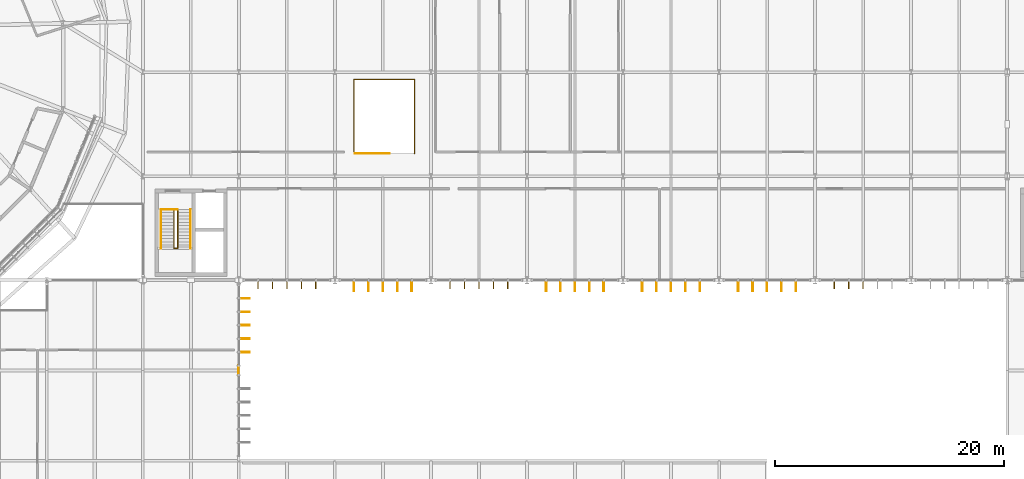
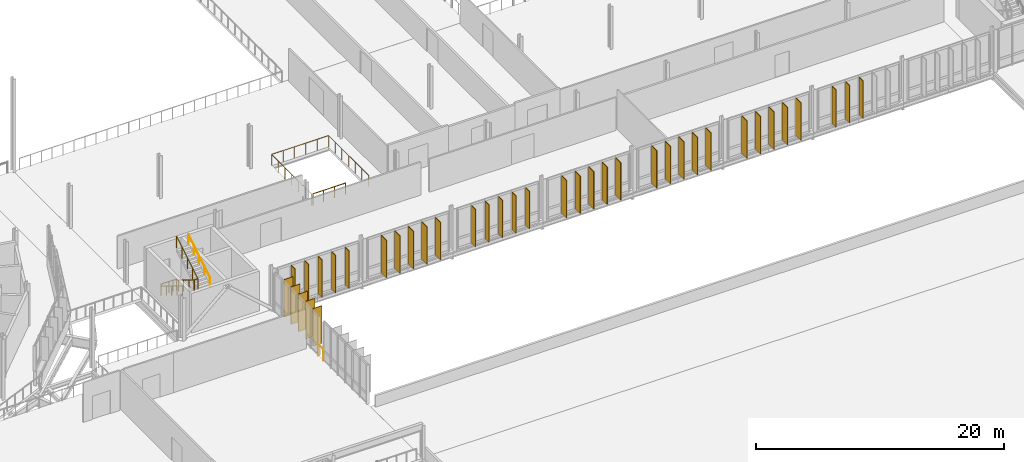
# One storey, part 100 of 107: 38 shading devices, 7 railings.
"""IFC4 building model written with IfcOpenShell, lengths in metres."""

from ifc_helpers import new_model, si_unit, derived_unit, direction, frame, origin, origin_2d, place, context, subcontext, project, spatial, rectangle, circle, extrude, material, layer, layer_set, type_object, element, save


model = new_model("IFC4")

# Units and contexts
model_context = context("Model", 3, precision=1e-05, world=origin(), true_north=direction((0.0, 1.0)))
body_context = subcontext(model_context, "Body", "Model", "MODEL_VIEW")
ifc_project = project(units=[si_unit("LENGTHUNIT", "METRE"), si_unit("AREAUNIT", "SQUARE_METRE"), si_unit("VOLUMEUNIT", "CUBIC_METRE"), si_unit("PLANEANGLEUNIT", "RADIAN"), si_unit("MASSUNIT", "GRAM", prefix="KILO"), derived_unit("THERMALTRANSMITTANCEUNIT", [(si_unit("MASSUNIT", "GRAM", prefix="KILO"), 1), (si_unit("TIMEUNIT", "SECOND"), -3), (si_unit("THERMODYNAMICTEMPERATUREUNIT", "KELVIN"), -1)])], contexts=[model_context])

# Site, building, storey
site_placement = place(None, origin())
site = spatial("IfcSite", under=ifc_project, at=site_placement, CompositionType="ELEMENT")
building_placement = place(site_placement, origin())
building = spatial("IfcBuilding", under=site, at=building_placement, Name="Makaiwela Harbour Ferry Terminal", CompositionType="ELEMENT")
storey_placement = place(building_placement, frame((0.0, 0.0, 9.60009765625)))
storey = spatial("IfcBuildingStorey", under=building, at=storey_placement, Name="L02", CompositionType="ELEMENT", Elevation=9.60009765625)

# Shading devices
ifc_material_1 = material(Name="Marine anodised aluminium 6063-T6", Category="aluminium")
ifc_layer_1 = layer(ifc_material_1, 0.054931640625)
ifc_layer_set_1 = layer_set([ifc_layer_1], Name="Marine anodised aluminium 6063-T6")
shading_device_type_1 = type_object("IfcShadingDeviceType", Name="ENV-FIN-650", PredefinedType="USERDEFINED", material=ifc_layer_set_1)
for number, where, z_axis, x_axis, name in (
    (1, (78.1201171875, 48.9619140625, 0.156982421875), (0.0, 0.0, 1.0), (0.0, -1.0, 0.0), "Vertical Solar Fin SFN-0213"),
    (2, (76.860107421875, 48.9619140625, 0.156982421875), (0.0, 0.0, 1.0), (0.0, -1.0, 0.0), "Vertical Solar Fin SFN-0214"),
    (3, (75.60009765625, 48.9619140625, 0.156982421875), (0.0, 0.0, 1.0), (0.0, -1.0, 0.0), "Vertical Solar Fin SFN-0215"),
    (4, (74.340087890625, 48.9619140625, 0.156982421875), (0.0, 0.0, 1.0), (0.0, -1.0, 0.0), "Vertical Solar Fin SFN-0216"),
    (5, (73.080078125, 48.9619140625, 0.156982421875), (0.0, 0.0, 1.0), (0.0, -1.0, 0.0), "Vertical Solar Fin SFN-0217"),
    (6, (94.919921875, 48.9619140625, 0.156982421875), (0.0, 0.0, 1.0), (0.0, -1.0, 0.0), "Vertical Solar Fin SFN-0243"),
    (7, (93.659912109375, 48.9619140625, 0.156982421875), (0.0, 0.0, 1.0), (0.0, -1.0, 0.0), "Vertical Solar Fin SFN-0244"),
    (8, (92.39990234375, 48.9619140625, 0.156982421875), (0.0, 0.0, 1.0), (0.0, -1.0, 0.0), "Vertical Solar Fin SFN-0245"),
    (9, (91.139892578125, 48.9619140625, 0.156982421875), (0.0, 0.0, 1.0), (0.0, -1.0, 0.0), "Vertical Solar Fin SFN-0246"),
    (10, (89.8798828125, 48.9619140625, 0.156982421875), (0.0, 0.0, 1.0), (0.0, -1.0, 0.0), "Vertical Solar Fin SFN-0247"),
    (11, (126.0, 48.9619140625, 0.156982421875), (0.0, 0.0, 1.0), (0.0, -1.0, 0.0), "Vertical Solar Fin SFN-0305"),
    (12, (124.739990234375, 48.9619140625, 0.156982421875), (0.0, 0.0, 1.0), (0.0, -1.0, 0.0), "Vertical Solar Fin SFN-0306"),
    (13, (123.47998046875, 48.9619140625, 0.156982421875), (0.0, 0.0, 1.0), (0.0, -1.0, 0.0), "Vertical Solar Fin SFN-0307"),
):
    element("IfcShadingDevice", number, at=place(storey_placement, frame(where, z_axis=z_axis, x_axis=x_axis)), inside=storey, type_object=shading_device_type_1, Name=name, ObjectType="SOLAR FIN", PredefinedType="USERDEFINED", context=body_context, shape_type="SweptSolid", body=[
        extrude(rectangle(XDim=0.64990234375, YDim=0.054931640625, at=origin_2d()), origin(), (0.0, 0.0, 1.0), 3.68994140625),
    ])
ifc_material_2 = material(Name="Thermally modified Accoya timber and anodised aluminium", Category="wood")
ifc_layer_2 = layer(ifc_material_2, 0.06005859375)
ifc_layer_set_2 = layer_set([ifc_layer_2], Name="Thermally modified Accoya timber and anodised aluminium")
shading_device_type_2 = type_object("IfcShadingDeviceType", Name="ENV-FIN-850", PredefinedType="USERDEFINED", material=ifc_layer_set_2)
for number, where, z_axis, x_axis, name in (
    (14, (86.52001953125, 48.862060546875, 0.156982421875), (0.0, 0.0, 1.0), (0.0, -1.0, 0.0), "Vertical Solar Fin SFN-0233"),
    (15, (85.260009765625, 48.862060546875, 0.156982421875), (0.0, 0.0, 1.0), (0.0, -1.0, 0.0), "Vertical Solar Fin SFN-0234"),
    (16, (84.0, 48.862060546875, 0.156982421875), (0.0, 0.0, 1.0), (0.0, -1.0, 0.0), "Vertical Solar Fin SFN-0235"),
    (17, (82.739990234375, 48.862060546875, 0.156982421875), (0.0, 0.0, 1.0), (0.0, -1.0, 0.0), "Vertical Solar Fin SFN-0236"),
    (18, (81.47998046875, 48.862060546875, 0.156982421875), (0.0, 0.0, 1.0), (0.0, -1.0, 0.0), "Vertical Solar Fin SFN-0237"),
    (19, (103.320068359375, 48.862060546875, 0.156982421875), (0.0, 0.0, 1.0), (0.0, -1.0, 0.0), "Vertical Solar Fin SFN-0253"),
    (20, (102.06005859375, 48.862060546875, 0.156982421875), (0.0, 0.0, 1.0), (0.0, -1.0, 0.0), "Vertical Solar Fin SFN-0254"),
    (21, (100.800048828125, 48.862060546875, 0.156982421875), (0.0, 0.0, 1.0), (0.0, -1.0, 0.0), "Vertical Solar Fin SFN-0255"),
    (22, (99.5400390625, 48.862060546875, 0.156982421875), (0.0, 0.0, 1.0), (0.0, -1.0, 0.0), "Vertical Solar Fin SFN-0256"),
    (23, (98.280029296875, 48.862060546875, 0.156982421875), (0.0, 0.0, 1.0), (0.0, -1.0, 0.0), "Vertical Solar Fin SFN-0257"),
    (24, (111.719970703125, 48.862060546875, 0.156982421875), (0.0, 0.0, 1.0), (0.0, -1.0, 0.0), "Vertical Solar Fin SFN-0268"),
    (25, (110.4599609375, 48.862060546875, 0.156982421875), (0.0, 0.0, 1.0), (0.0, -1.0, 0.0), "Vertical Solar Fin SFN-0269"),
    (26, (109.199951171875, 48.862060546875, 0.156982421875), (0.0, 0.0, 1.0), (0.0, -1.0, 0.0), "Vertical Solar Fin SFN-0270"),
    (27, (107.93994140625, 48.862060546875, 0.156982421875), (0.0, 0.0, 1.0), (0.0, -1.0, 0.0), "Vertical Solar Fin SFN-0271"),
    (28, (106.679931640625, 48.862060546875, 0.156982421875), (0.0, 0.0, 1.0), (0.0, -1.0, 0.0), "Vertical Solar Fin SFN-0272"),
    (29, (120.1201171875, 48.862060546875, 0.156982421875), (0.0, 0.0, 1.0), (0.0, -1.0, 0.0), "Vertical Solar Fin SFN-0283"),
    (30, (118.860107421875, 48.862060546875, 0.156982421875), (0.0, 0.0, 1.0), (0.0, -1.0, 0.0), "Vertical Solar Fin SFN-0284"),
    (31, (117.60009765625, 48.862060546875, 0.156982421875), (0.0, 0.0, 1.0), (0.0, -1.0, 0.0), "Vertical Solar Fin SFN-0285"),
    (32, (116.340087890625, 48.862060546875, 0.156982421875), (0.0, 0.0, 1.0), (0.0, -1.0, 0.0), "Vertical Solar Fin SFN-0286"),
    (33, (115.080078125, 48.862060546875, 0.156982421875), (0.0, 0.0, 1.0), (0.0, -1.0, 0.0), "Vertical Solar Fin SFN-0287"),
    (34, (71.93798828125, 47.80322265625, 0.156982421875), (0.0, 0.0, 1.0), (1.0, 0.0, 0.0), "Vertical Solar Fin SFN-0403"),
    (35, (71.93798828125, 46.626708984375, 0.156982421875), (0.0, 0.0, 1.0), (1.0, 0.0, 0.0), "Vertical Solar Fin SFN-0404"),
    (36, (71.93798828125, 45.449951171875, 0.156982421875), (0.0, 0.0, 1.0), (1.0, 0.0, 0.0), "Vertical Solar Fin SFN-0405"),
    (37, (71.93798828125, 44.273193359375, 0.156982421875), (0.0, 0.0, 1.0), (1.0, 0.0, 0.0), "Vertical Solar Fin SFN-0406"),
    (38, (71.93798828125, 43.0966796875, 0.156982421875), (0.0, 0.0, 1.0), (1.0, 0.0, 0.0), "Vertical Solar Fin SFN-0407"),
):
    element("IfcShadingDevice", number, at=place(storey_placement, frame(where, z_axis=z_axis, x_axis=x_axis)), inside=storey, type_object=shading_device_type_2, Name=name, ObjectType="SOLAR FIN", PredefinedType="USERDEFINED", context=body_context, shape_type="SweptSolid", body=[
        extrude(rectangle(XDim=0.85009765625, YDim=0.06005859375, at=origin_2d()), origin(), (0.0, 0.0, 1.0), 3.68994140625),
    ])

# Railings
ifc_material_3 = material(Name="Marine grade 316L brushed stainless steel", Category="steel")
railing_type_1 = type_object("IfcRailingType", Name="INT-RL-GRD110", PredefinedType="GUARDRAIL", material=ifc_material_3)
railing_1_placement = place(storey_placement, frame((64.570068359375, 55.60009765625, 0.0)))
element("IfcRailing", 39, at=railing_1_placement, inside=storey, type_object=railing_type_1, Name="Stair top well guardrail RL-0066", PredefinedType="GUARDRAIL", context=body_context, shape_type="SweptSolid", body=[
    extrude(circle(Radius=0.02392578125, at=origin_2d()), frame((0.0, 0.0, 1.09619140625), z_axis=(1.0, 0.0, 0.0), x_axis=(0.0, 1.0, 0.0)), (0.0, 0.0, 1.0), 1.47998046875),
    extrude(circle(Radius=0.02099609375, at=origin_2d()), origin(), (0.0, 0.0, 1.0), 1.072021484375),
    extrude(circle(Radius=0.02099609375, at=origin_2d()), frame((0.739990234375, 0.0, 0.0)), (0.0, 0.0, 1.0), 1.072021484375),
    extrude(circle(Radius=0.02099609375, at=origin_2d()), frame((1.47998046875, 0.0, 0.0)), (0.0, 0.0, 1.0), 1.072021484375),
])
railing_2_placement = place(storey_placement, frame((65.7099609375, 55.60009765625, 0.0)))
element("IfcRailing", 40, at=railing_2_placement, inside=storey, type_object=railing_type_1, Name="Stair well guardrail RL-0069", PredefinedType="GUARDRAIL", context=body_context, shape_type="SweptSolid", body=[
    extrude(circle(Radius=0.02392578125, at=origin_2d()), frame((0.0, 0.0, 1.09619140625), z_axis=(0.0, -0.852198826108, 0.523218081473), x_axis=(1.0, 0.0, 0.0)), (0.0, 0.0, 1.0), 4.013427734375),
    extrude(circle(Radius=0.02392578125, at=origin_2d()), frame((0.0, -3.420166015625, 3.19580078125), z_axis=(1.0, 0.0, 0.0), x_axis=(0.0, 1.0, 0.0)), (0.0, 0.0, 1.0), 0.340087890625),
    extrude(circle(Radius=0.02392578125, at=origin_2d()), frame((0.340087890625, -3.420166015625, 3.19580078125), z_axis=(0.0, 0.852171701593, 0.523262258341), x_axis=(-1.0, 0.0, 0.0)), (0.0, 0.0, 1.0), 4.013427734375),
    extrude(circle(Radius=0.02099609375, at=origin_2d()), origin(), (0.0, 0.0, 1.0), 1.072021484375),
    extrude(circle(Radius=0.02099609375, at=origin_2d()), frame((0.0, -0.85498046875, 0.52490234375)), (0.0, 0.0, 1.0), 1.072021484375),
    extrude(circle(Radius=0.02099609375, at=origin_2d()), frame((0.0, -1.7099609375, 1.0498046875)), (0.0, 0.0, 1.0), 1.072021484375),
    extrude(circle(Radius=0.02099609375, at=origin_2d()), frame((0.0, -2.565185546875, 1.574951171875)), (0.0, 0.0, 1.0), 1.072021484375),
    extrude(circle(Radius=0.02099609375, at=origin_2d()), frame((0.0, -3.420166015625, 2.099853515625)), (0.0, 0.0, 1.0), 1.072021484375),
    extrude(circle(Radius=0.02099609375, at=origin_2d()), frame((0.340087890625, -3.420166015625, 2.099853515625)), (0.0, 0.0, 1.0), 1.072021484375),
    extrude(circle(Radius=0.02099609375, at=origin_2d()), frame((0.340087890625, -2.565185546875, 2.625)), (0.0, 0.0, 1.0), 1.072021484375),
    extrude(circle(Radius=0.02099609375, at=origin_2d()), frame((0.340087890625, -1.7099609375, 3.14990234375)), (0.0, 0.0, 1.0), 1.072021484375),
    extrude(circle(Radius=0.02099609375, at=origin_2d()), frame((0.340087890625, -0.85498046875, 3.6748046875)), (0.0, 0.0, 1.0), 1.072021484375),
    extrude(circle(Radius=0.02099609375, at=origin_2d()), frame((0.340087890625, 0.0, 4.199951171875)), (0.0, 0.0, 1.0), 1.072021484375),
])
railing_3_placement = place(storey_placement, frame((81.550048828125, 60.47998046875, 0.0)))
element("IfcRailing", 41, at=railing_3_placement, inside=storey, type_object=railing_type_1, Name="Stair top well guardrail RL-0098", PredefinedType="GUARDRAIL", context=body_context, shape_type="SweptSolid", body=[
    extrude(circle(Radius=0.02392578125, at=origin_2d()), frame((0.0, 0.0, 1.09619140625), z_axis=(1.0, 0.0, 0.0), x_axis=(0.0, 1.0, 0.0)), (0.0, 0.0, 1.0), 3.0400390625),
    extrude(circle(Radius=0.02099609375, at=origin_2d()), origin(), (0.0, 0.0, 1.0), 1.072021484375),
    extrude(circle(Radius=0.02099609375, at=origin_2d()), frame((1.013427734375, 0.0, 0.0)), (0.0, 0.0, 1.0), 1.072021484375),
    extrude(circle(Radius=0.02099609375, at=origin_2d()), frame((2.026611328125, 0.0, 0.0)), (0.0, 0.0, 1.0), 1.072021484375),
    extrude(circle(Radius=0.02099609375, at=origin_2d()), frame((3.0400390625, 0.0, 0.0)), (0.0, 0.0, 1.0), 1.072021484375),
])
railing_4_placement = place(storey_placement, frame((81.449951171875, 60.47998046875, 0.0)))
element("IfcRailing", 42, at=railing_4_placement, inside=storey, type_object=railing_type_1, Name="Stairwell perimeter guardrail RL-0100", PredefinedType="GUARDRAIL", context=body_context, shape_type="SweptSolid", body=[
    extrude(circle(Radius=0.02392578125, at=origin_2d()), frame((0.0, 0.0, 1.09619140625), z_axis=(0.0, 1.0, 0.0), x_axis=(-1.0, 0.0, 0.0)), (0.0, 0.0, 1.0), 6.469970703125),
    extrude(circle(Radius=0.02392578125, at=origin_2d()), frame((0.0, 6.469970703125, 1.09619140625), z_axis=(1.0, 0.0, 0.0), x_axis=(0.0, 1.0, 0.0)), (0.0, 0.0, 1.0), 5.300048828125),
    extrude(circle(Radius=0.02392578125, at=origin_2d()), frame((5.300048828125, 6.469970703125, 1.09619140625), z_axis=(0.0, -1.0, 0.0), x_axis=(1.0, 0.0, 0.0)), (0.0, 0.0, 1.0), 6.469970703125),
    extrude(circle(Radius=0.02099609375, at=origin_2d()), origin(), (0.0, 0.0, 1.0), 1.072021484375),
    extrude(circle(Radius=0.02099609375, at=origin_2d()), frame((0.0, 1.078369140625, 0.0)), (0.0, 0.0, 1.0), 1.072021484375),
    extrude(circle(Radius=0.02099609375, at=origin_2d()), frame((0.0, 2.15673828125, 0.0)), (0.0, 0.0, 1.0), 1.072021484375),
    extrude(circle(Radius=0.02099609375, at=origin_2d()), frame((0.0, 3.23486328125, 0.0)), (0.0, 0.0, 1.0), 1.072021484375),
    extrude(circle(Radius=0.02099609375, at=origin_2d()), frame((0.0, 4.313232421875, 0.0)), (0.0, 0.0, 1.0), 1.072021484375),
    extrude(circle(Radius=0.02099609375, at=origin_2d()), frame((0.0, 5.3916015625, 0.0)), (0.0, 0.0, 1.0), 1.072021484375),
    extrude(circle(Radius=0.02099609375, at=origin_2d()), frame((0.0, 6.469970703125, 0.0)), (0.0, 0.0, 1.0), 1.072021484375),
    extrude(circle(Radius=0.02099609375, at=origin_2d()), frame((1.06005859375, 6.469970703125, 0.0)), (0.0, 0.0, 1.0), 1.072021484375),
    extrude(circle(Radius=0.02099609375, at=origin_2d()), frame((2.1201171875, 6.469970703125, 0.0)), (0.0, 0.0, 1.0), 1.072021484375),
    extrude(circle(Radius=0.02099609375, at=origin_2d()), frame((3.179931640625, 6.469970703125, 0.0)), (0.0, 0.0, 1.0), 1.072021484375),
    extrude(circle(Radius=0.02099609375, at=origin_2d()), frame((4.239990234375, 6.469970703125, 0.0)), (0.0, 0.0, 1.0), 1.072021484375),
    extrude(circle(Radius=0.02099609375, at=origin_2d()), frame((5.300048828125, 6.469970703125, 0.0)), (0.0, 0.0, 1.0), 1.072021484375),
    extrude(circle(Radius=0.02099609375, at=origin_2d()), frame((5.300048828125, 5.3916015625, 0.0)), (0.0, 0.0, 1.0), 1.072021484375),
    extrude(circle(Radius=0.02099609375, at=origin_2d()), frame((5.300048828125, 4.313232421875, 0.0)), (0.0, 0.0, 1.0), 1.072021484375),
    extrude(circle(Radius=0.02099609375, at=origin_2d()), frame((5.300048828125, 3.23486328125, 0.0)), (0.0, 0.0, 1.0), 1.072021484375),
    extrude(circle(Radius=0.02099609375, at=origin_2d()), frame((5.300048828125, 2.15673828125, 0.0)), (0.0, 0.0, 1.0), 1.072021484375),
    extrude(circle(Radius=0.02099609375, at=origin_2d()), frame((5.300048828125, 1.078369140625, 0.0)), (0.0, 0.0, 1.0), 1.072021484375),
    extrude(circle(Radius=0.02099609375, at=origin_2d()), frame((5.300048828125, 0.0, 0.0)), (0.0, 0.0, 1.0), 1.072021484375),
])
railing_5_placement = place(storey_placement, frame((71.35498046875, 41.919921875, 0.0)))
element("IfcRailing", 43, at=railing_5_placement, inside=storey, type_object=railing_type_1, Name="Deck edge guardrail RL-0560", PredefinedType="GUARDRAIL", context=body_context, shape_type="SweptSolid", body=[
    extrude(circle(Radius=0.02392578125, at=origin_2d()), frame((0.0, 0.0, 1.09619140625), z_axis=(0.0, -1.0, 0.0), x_axis=(1.0, 0.0, 0.0)), (0.0, 0.0, 1.0), 0.83984375),
    extrude(circle(Radius=0.02099609375, at=origin_2d()), origin(), (0.0, 0.0, 1.0), 1.072021484375),
    extrude(circle(Radius=0.02099609375, at=origin_2d()), frame((0.0, -0.83984375, 0.0)), (0.0, 0.0, 1.0), 1.072021484375),
])
railing_type_2 = type_object("IfcRailingType", Name="INT-RL-HND090", PredefinedType="HANDRAIL", material=ifc_material_3)
railing_6_placement = place(storey_placement, frame((64.60009765625, 55.60009765625, 0.0)))
element("IfcRailing", 44, at=railing_6_placement, inside=storey, type_object=railing_type_2, Name="Stair wall handrail RL-0071", PredefinedType="HANDRAIL", context=body_context, shape_type="SweptSolid", body=[
    extrude(circle(Radius=0.02392578125, at=origin_2d()), frame((0.0, 0.0, 0.89111328125), z_axis=(0.0, -0.852198826108, 0.523218081473), x_axis=(1.0, 0.0, 0.0)), (0.0, 0.0, 1.0), 4.013427734375),
    extrude(circle(Radius=0.02099609375, at=origin_2d()), origin(), (0.0, 0.0, 1.0), 0.866943359375),
    extrude(circle(Radius=0.02099609375, at=origin_2d()), frame((0.0, -0.85498046875, 0.52490234375)), (0.0, 0.0, 1.0), 0.866943359375),
    extrude(circle(Radius=0.02099609375, at=origin_2d()), frame((0.0, -1.7099609375, 1.0498046875)), (0.0, 0.0, 1.0), 0.866943359375),
    extrude(circle(Radius=0.02099609375, at=origin_2d()), frame((0.0, -2.565185546875, 1.574951171875)), (0.0, 0.0, 1.0), 0.866943359375),
    extrude(circle(Radius=0.02099609375, at=origin_2d()), frame((0.0, -3.420166015625, 2.099853515625)), (0.0, 0.0, 1.0), 0.866943359375),
])
railing_7_placement = place(storey_placement, frame((67.159912109375, 52.179931640625, 2.099853515625)))
element("IfcRailing", 45, at=railing_7_placement, inside=storey, type_object=railing_type_2, Name="Stair upper handrail RL-0072", PredefinedType="HANDRAIL", context=body_context, shape_type="SweptSolid", body=[
    extrude(circle(Radius=0.02392578125, at=origin_2d()), frame((0.0, 0.0, 0.89111328125), z_axis=(0.0, 0.852171701593, 0.523262258341), x_axis=(-1.0, 0.0, 0.0)), (0.0, 0.0, 1.0), 4.013427734375),
    extrude(circle(Radius=0.02099609375, at=origin_2d()), origin(), (0.0, 0.0, 1.0), 0.866943359375),
    extrude(circle(Radius=0.02099609375, at=origin_2d()), frame((0.0, 0.85498046875, 0.52490234375)), (0.0, 0.0, 1.0), 0.866943359375),
    extrude(circle(Radius=0.02099609375, at=origin_2d()), frame((0.0, 1.7099609375, 1.050048828125)), (0.0, 0.0, 1.0), 0.866943359375),
    extrude(circle(Radius=0.02099609375, at=origin_2d()), frame((0.0, 2.565185546875, 1.5751953125)), (0.0, 0.0, 1.0), 0.866943359375),
    extrude(circle(Radius=0.02099609375, at=origin_2d()), frame((0.0, 3.420166015625, 2.10009765625)), (0.0, 0.0, 1.0), 0.866943359375),
])

save(model, "model.ifc")
